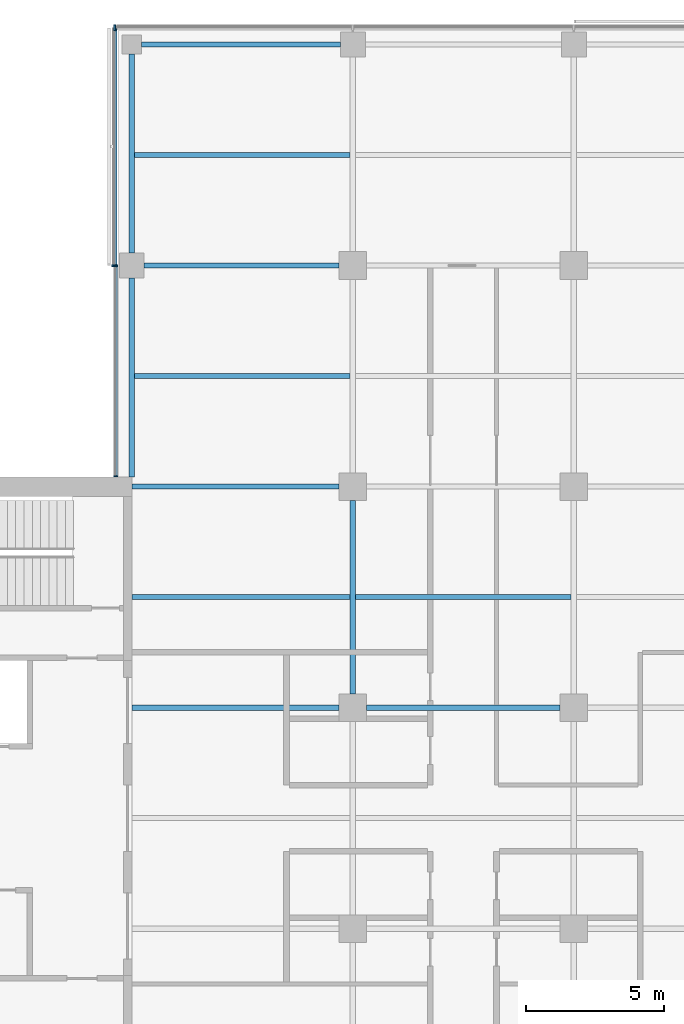
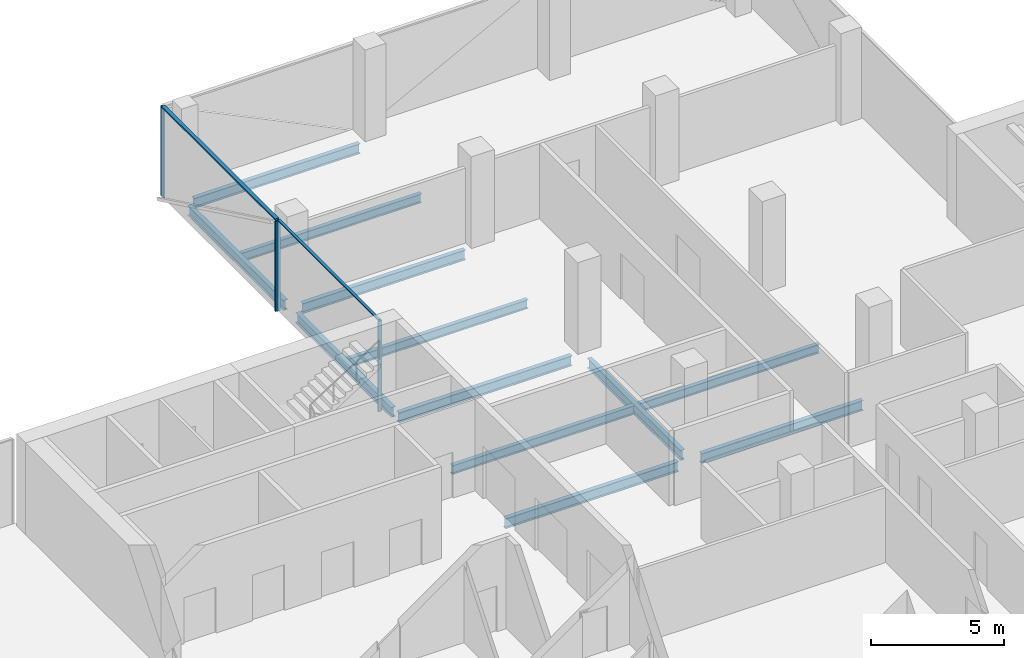
# One storey, part 8 of 22: 12 beams, 6 members, 3 elements without a shape of their own.
"""IFC4 building model written with IfcOpenShell, lengths in metres."""

import ifcopenshell
import ifcopenshell.guid

model = None  # the IFC model being written
_history = None  # IfcOwnerHistory: only IFC2X3 demands one
_inside = {}  # id of a spatial element -> (the spatial element, [elements in it])
_under = {}  # id of a project, library or spatial element -> (it, [spatial elements below it])
_declared = {}  # id of a project -> (the project, [libraries it declares])
_typed = {}  # id of a type object -> (the type object, [elements of that type])
_made_of = {}  # id of a material, layer set ... -> (it, [elements and type objects made of it])


def new_model(schema):
    """Start an empty IFC model of exactly this schema.

    Asked for "IFC4X3", IfcOpenShell would pick the latest addendum, in which some entities
    have other attributes; the version numbers below select the first issue.
    IFC2X3 requires an IfcOwnerHistory on every rooted entity: one is made here for all.
    """
    global model, _history
    if schema == "IFC4X3":
        model = ifcopenshell.file(schema_version=(4, 3, 0, 0))
    else:
        model = ifcopenshell.file(schema=schema)
    _inside.clear()
    _under.clear()
    _declared.clear()
    _typed.clear()
    _made_of.clear()
    _history = None
    if model.schema == "IFC2X3":
        org = make("IfcOrganization", Name="unknown")
        user = make(
            "IfcPersonAndOrganization",
            ThePerson=make("IfcPerson", FamilyName="unknown"),
            TheOrganization=org,
        )
        app = make(
            "IfcApplication",
            ApplicationDeveloper=org,
            Version="unknown",
            ApplicationFullName="unknown",
            ApplicationIdentifier="unknown",
        )
        _history = make(
            "IfcOwnerHistory",
            OwningUser=user,
            OwningApplication=app,
            ChangeAction="ADDED",
            CreationDate=0,
        )
    return model


def make(cls, **values):
    """One entity of the class cls with the attributes given. An attribute that is None is left unset."""
    return model.create_entity(
        cls, **{name: value for name, value in values.items() if value is not None}
    )


def rooted(cls, **values):
    """An entity with a GlobalId (a new one), such as an element, a storey or a relation."""
    return make(cls, GlobalId=ifcopenshell.guid.new(), OwnerHistory=_history, **values)


def si_unit(unit_type, name, prefix=None):
    """IfcSIUnit, for example si_unit("LENGTHUNIT", "METRE", prefix="MILLI")."""
    return make("IfcSIUnit", UnitType=unit_type, Prefix=prefix, Name=name)


def assignment(units):
    """IfcUnitAssignment: the units of a project."""
    return None if units is None else make("IfcUnitAssignment", Units=units)


def point(xyz):
    """IfcCartesianPoint."""
    return None if xyz is None else make("IfcCartesianPoint", Coordinates=xyz)


def direction(xyz):
    """IfcDirection."""
    return None if xyz is None else make("IfcDirection", DirectionRatios=xyz)


def frame(location, z_axis=None, x_axis=None):
    """IfcAxis2Placement3D, a coordinate frame: its origin and axes. An axis left out is left unset."""
    return make(
        "IfcAxis2Placement3D",
        Location=point(location),
        Axis=direction(z_axis),
        RefDirection=direction(x_axis),
    )


def frame_2d(location, x_axis=None):
    """IfcAxis2Placement2D, a coordinate frame in the plane: its origin and x axis."""
    return make(
        "IfcAxis2Placement2D", Location=point(location), RefDirection=direction(x_axis)
    )


def origin():
    """The frame at (0, 0, 0) with its axes left unset."""
    return frame((0.0, 0.0, 0.0))


def origin_2d():
    """The frame at (0, 0) in the plane with its x axis left unset."""
    return frame_2d((0.0, 0.0))


def place(relative_to, where):
    """IfcLocalPlacement: puts the frame where relative to a parent placement (None: the world)."""
    return make(
        "IfcLocalPlacement", PlacementRelTo=relative_to, RelativePlacement=where
    )


def context(
    kind, dimensions, precision=None, world=None, true_north=None, identifier=None
):
    """IfcGeometricRepresentationContext, for example the 3D "Model" context."""
    return make(
        "IfcGeometricRepresentationContext",
        ContextIdentifier=identifier,
        ContextType=kind,
        CoordinateSpaceDimension=dimensions,
        Precision=precision,
        WorldCoordinateSystem=world,
        TrueNorth=true_north,
    )


def subcontext(parent, identifier, kind, view, scale=None):
    """IfcGeometricRepresentationSubContext, for example "Body" below "Model"."""
    return make(
        "IfcGeometricRepresentationSubContext",
        ContextIdentifier=identifier,
        ContextType=kind,
        ParentContext=parent,
        TargetScale=scale,
        TargetView=view,
    )


def project(units=None, contexts=None):
    """IfcProject with its units and contexts."""
    return rooted(
        "IfcProject",
        Name="project",
        RepresentationContexts=contexts,
        UnitsInContext=assignment(units),
    )


def spatial(cls, under=None, at=None, **own):
    """A site, building, storey or space (cls), placed at a placement, below another one or the project."""
    s = rooted(cls, ObjectPlacement=at, **own)
    if under is not None:
        _under.setdefault(under.id(), (under, []))[1].append(s)
    return s


def profile(cls, at=None, kind="AREA", **sizes):
    """A parametric profile (cls). Its sizes go by their IFC names, for example OverallWidth=200.0."""
    return make(cls, ProfileType=kind, Position=at, **sizes)


def rectangle(**sizes):
    """IfcRectangleProfileDef."""
    return profile("IfcRectangleProfileDef", **sizes)


def i_section(**sizes):
    """IfcIShapeProfileDef."""
    return profile("IfcIShapeProfileDef", **sizes)


def extrude(swept, where, along, depth):
    """IfcExtrudedAreaSolid: the profile swept, set in the frame where, extruded along a direction by depth."""
    return make(
        "IfcExtrudedAreaSolid",
        SweptArea=swept,
        Position=where,
        ExtrudedDirection=direction(along),
        Depth=depth,
    )


def shape(context_of_items, identifier, shape_type, items):
    """IfcShapeRepresentation: the items that make up one representation, for example the "Body"."""
    return make(
        "IfcShapeRepresentation",
        ContextOfItems=context_of_items,
        RepresentationIdentifier=identifier,
        RepresentationType=shape_type,
        Items=items,
    )


def material(Name=None, Category=None):
    """IfcMaterial."""
    return make("IfcMaterial", Name=Name, Category=Category)


def material_profile(
    of_material, cross_section, Name=None, Category=None, Priority=None
):
    """IfcMaterialProfile: a cross section and its material."""
    return make(
        "IfcMaterialProfile",
        Name=Name,
        Material=of_material,
        Profile=cross_section,
        Priority=Priority,
        Category=Category,
    )


def profile_set(profiles, Name=None, composite=None):
    """IfcMaterialProfileSet."""
    return make(
        "IfcMaterialProfileSet",
        Name=Name,
        MaterialProfiles=profiles,
        CompositeProfile=composite,
    )


def made_of(thing, what):
    """Note that an element or type object is made of a material, layer set ...; save() writes the relation."""
    if what is not None:
        _made_of.setdefault(what.id(), (what, []))[1].append(thing)
    return thing


def type_object(cls, material=None, **own):
    """A type object (cls), such as IfcWallType, which elements share."""
    return made_of(rooted(cls, **own), material)


def element(
    cls,
    number,
    at=None,
    inside=None,
    cuts=None,
    type_object=None,
    material=None,
    context=None,
    identifier="Body",
    shape_type=None,
    held_by="IfcProductDefinitionShape",
    body=None,
    shapes=None,
    **own,
):
    """One element of the class cls, such as IfcWall. Its Tag is "e" and its number.

    at: its placement. inside: the storey or other place that contains it. cuts: it is an
    opening in that element (IfcRelVoidsElement). A single representation is given by context,
    identifier, shape_type and body (its items); several are given by shapes. held_by: the class
    of the entity that holds the representations. save() writes the other relations.
    """
    e = rooted(cls, Tag="e%d" % number, ObjectPlacement=at, **own)
    if body is not None:
        shapes = [shape(context, identifier, shape_type, body)]
    if shapes is not None:
        e.Representation = make(held_by, Representations=shapes)
    if inside is not None:
        _inside.setdefault(inside.id(), (inside, []))[1].append(e)
    if cuts is not None:
        rooted(
            "IfcRelVoidsElement", RelatingBuildingElement=cuts, RelatedOpeningElement=e
        )
    if type_object is not None:
        _typed.setdefault(type_object.id(), (type_object, []))[1].append(e)
    return made_of(e, material)


def aggregate(whole, parts):
    """IfcRelAggregates: a whole, such as a stair, and the parts it consists of."""
    return rooted("IfcRelAggregates", RelatingObject=whole, RelatedObjects=parts)


def save(model, path):
    """Write the relations noted so far, then the file.

    IfcRelAggregates (storeys below a building ...), IfcRelContainedInSpatialStructure (elements
    in a storey), IfcRelDefinesByType, IfcRelAssociatesMaterial and IfcRelDeclares: one each for
    every whole, place, type object, material and project.
    """
    for whole, parts in _under.values():
        aggregate(whole, parts)
    for where, things in _inside.values():
        rooted(
            "IfcRelContainedInSpatialStructure",
            RelatedElements=things,
            RelatingStructure=where,
        )
    for kind, things in _typed.values():
        rooted("IfcRelDefinesByType", RelatedObjects=things, RelatingType=kind)
    for what, things in _made_of.values():
        rooted("IfcRelAssociatesMaterial", RelatedObjects=things, RelatingMaterial=what)
    for by, libraries in _declared.values():
        rooted("IfcRelDeclares", RelatingContext=by, RelatedDefinitions=libraries)
    model.write(path)


model = new_model("IFC4")

# Units and contexts
model_context = context("Model", 3, precision=1e-05, world=origin(), true_north=direction((0.0, 1.0)))
body_context = subcontext(model_context, "Body", "Model", "MODEL_VIEW")
ifc_project = project(units=[si_unit("LENGTHUNIT", "METRE"), si_unit("AREAUNIT", "SQUARE_METRE"), si_unit("VOLUMEUNIT", "CUBIC_METRE"), si_unit("PLANEANGLEUNIT", "RADIAN"), si_unit("MASSUNIT", "GRAM", prefix="KILO")], contexts=[model_context])

# Site, building, storey
site_placement = place(None, origin())
site = spatial("IfcSite", under=ifc_project, at=site_placement, CompositionType="ELEMENT")
building_placement = place(site_placement, origin())
building = spatial("IfcBuilding", under=site, at=building_placement, Name="Crosswind Convention Tower", CompositionType="ELEMENT")
storey_placement = place(building_placement, frame((0.0, 0.0, 121.10009765625)))
storey = spatial("IfcBuildingStorey", under=building, at=storey_placement, Name="L24", CompositionType="ELEMENT", Elevation=121.10009765625)

# Beams
ifc_material_1 = material(Name="Steel S355", Category="steel")
ifc_material_profile_1 = material_profile(ifc_material_1, i_section(OverallWidth=0.18994140625, OverallDepth=0.45361328125, WebThickness=0.008544921875, FlangeThickness=0.0126953125, FilletRadius=0.01025390625, at=origin_2d()), Name="UB 457x191x67")
ifc_profile_set_1 = profile_set([ifc_material_profile_1], Name="Steel S355")
beam_type_1 = type_object("IfcBeamType", Name="Edge beam UB 457x191x67", PredefinedType="SPANDREL", material=ifc_profile_set_1)
for number, where, z_axis, x_axis, name in (
    (1, (113.0, 112.35009765625, -0.52685546875), (0.0, 1.0, 0.0), (-1.0, 0.0, 0.0), "B16 L24 edge beam 8"),
    (2, (113.0, 120.449951171875, -0.52685546875), (0.0, 1.0, 0.0), (-1.0, 0.0, 0.0), "B16 L24 edge beam 9"),
    (3, (113.35009765625, 128.0, -0.52685546875), (1.0, 0.0, 0.0), (0.0, 1.0, 0.0), "B16 L24 edge beam 11"),
):
    element("IfcBeam", number, at=place(storey_placement, frame(where, z_axis=z_axis, x_axis=x_axis)), inside=storey, type_object=beam_type_1, Name=name, PredefinedType="SPANDREL", context=body_context, shape_type="SweptSolid", body=[
        extrude(i_section(OverallWidth=0.18994140625, OverallDepth=0.45361328125, WebThickness=0.008544921875, FlangeThickness=0.0126953125, FilletRadius=0.01025390625, at=origin_2d()), origin(), (0.0, 0.0, 1.0), 7.199951171875),
    ])
ifc_material_profile_2 = material_profile(ifc_material_1, i_section(OverallWidth=0.19140625, OverallDepth=0.460205078125, WebThickness=0.010009765625, FlangeThickness=0.01611328125, FilletRadius=0.01025390625, at=origin_2d()), Name="UB 457x191x82")
ifc_profile_set_2 = profile_set([ifc_material_profile_2], Name="Steel S355")
beam_type_2 = type_object("IfcBeamType", Name="Girder UB 457x191x82", PredefinedType="BEAM", material=ifc_profile_set_2)
beam_1_placement = place(storey_placement, frame((113.449951171875, 120.0, -0.5302734375), z_axis=(1.0, 0.0, 0.0), x_axis=(0.0, 1.0, 0.0)))
element("IfcBeam", 4, at=beam_1_placement, inside=storey, type_object=beam_type_2, Name="B3 L24 girder 2", PredefinedType="BEAM", context=body_context, shape_type="SweptSolid", body=[
    extrude(i_section(OverallWidth=0.19140625, OverallDepth=0.460205078125, WebThickness=0.010009765625, FlangeThickness=0.01611328125, FilletRadius=0.01025390625, at=origin_2d()), origin(), (0.0, 0.0, 1.0), 7.050048828125),
])
for number, where, z_axis, x_axis, name in (
    (5, (121.0, 104.5, -0.5302734375), (0.0, 1.0, 0.0), (-1.0, 0.0, 0.0), "B3 L24 girder 7"),
    (6, (121.5, 104.0, -0.5302734375), (1.0, 0.0, 0.0), (0.0, 1.0, 0.0), "B3 L24 girder 13"),
):
    element("IfcBeam", number, at=place(storey_placement, frame(where, z_axis=z_axis, x_axis=x_axis)), inside=storey, type_object=beam_type_2, Name=name, PredefinedType="BEAM", context=body_context, shape_type="SweptSolid", body=[
        extrude(i_section(OverallWidth=0.19140625, OverallDepth=0.460205078125, WebThickness=0.010009765625, FlangeThickness=0.01611328125, FilletRadius=0.01025390625, at=origin_2d()), origin(), (0.0, 0.0, 1.0), 7.0),
    ])
ifc_material_profile_3 = material_profile(ifc_material_1, i_section(OverallWidth=0.19189453125, OverallDepth=0.463623046875, WebThickness=0.010498046875, FlangeThickness=0.017578125, FilletRadius=0.01025390625, at=origin_2d()), Name="UB 457x191x90")
ifc_profile_set_3 = profile_set([ifc_material_profile_3], Name="Steel S355")
beam_type_3 = type_object("IfcBeamType", Name="Girder at core wall UB 457x191x90", PredefinedType="BEAM", material=ifc_profile_set_3)
for number, where, z_axis, x_axis, name in (
    (7, (113.0, 104.0, -0.531982421875), (1.0, 0.0, 0.0), (0.0, 1.0, 0.0), "B24 L24 girder at core wall 5"),
    (8, (113.0, 112.0, -0.531982421875), (1.0, 0.0, 0.0), (0.0, 1.0, 0.0), "B24 L24 girder at core wall 6"),
):
    element("IfcBeam", number, at=place(storey_placement, frame(where, z_axis=z_axis, x_axis=x_axis)), inside=storey, type_object=beam_type_3, Name=name, PredefinedType="BEAM", context=body_context, shape_type="SweptSolid", body=[
        extrude(i_section(OverallWidth=0.19189453125, OverallDepth=0.463623046875, WebThickness=0.010498046875, FlangeThickness=0.017578125, FilletRadius=0.01025390625, at=origin_2d()), origin(), (0.0, 0.0, 1.0), 7.5),
    ])

# Curtain wall, members
ifc_material_2 = material(Name="Aluminium unitised curtain wall", Category="aluminium")
curtain_wall_type_1 = type_object("IfcCurtainWallType", Name="CORE END SLOT WALL 160", PredefinedType="USERDEFINED", material=ifc_material_2)
curtain_wall_1_placement = place(storey_placement, origin())
curtain_wall_1 = element("IfcCurtainWall", 9, at=curtain_wall_1_placement, inside=storey, type_object=curtain_wall_type_1, Name="CW6 L24 N-W.1-2 slot", ObjectType="UNITISED", PredefinedType="USERDEFINED")
ifc_material_3 = material(Name="Aluminium mullion", Category="aluminium")
ifc_material_profile_4 = material_profile(ifc_material_3, rectangle(XDim=0.159912109375, YDim=0.050048828125, at=origin_2d()), Name="AL 160X50")
ifc_profile_set_4 = profile_set([ifc_material_profile_4], Name="Aluminium mullion")
member_type_1 = type_object("IfcMemberType", Name="MULLION 50X160", PredefinedType="MULLION", material=ifc_profile_set_4)
member_1_placement = place(storey_placement, frame((112.419921875, 119.97509765625, -0.300048828125), z_axis=(0.0, 0.0, 1.0), x_axis=(-1.0, 0.0, 0.0)))
member_1 = element("IfcMember", 10, at=member_1_placement, type_object=member_type_1, Name="CW6 mullion 1", PredefinedType="MULLION", context=body_context, shape_type="SweptSolid", body=[
    extrude(rectangle(XDim=0.159912109375, YDim=0.050048828125, at=origin_2d()), origin(), (0.0, 0.0, 1.0), 4.14990234375),
])
member_2_placement = place(storey_placement, frame((112.419921875, 112.375, -0.300048828125), z_axis=(0.0, 0.0, 1.0), x_axis=(-1.0, 0.0, 0.0)))
member_2 = element("IfcMember", 11, at=member_2_placement, type_object=member_type_1, Name="CW6 mullion 2", PredefinedType="MULLION", context=body_context, shape_type="SweptSolid", body=[
    extrude(rectangle(XDim=0.159912109375, YDim=0.050048828125, at=origin_2d()), origin(), (0.0, 0.0, 1.0), 4.14990234375),
])

# Curtain wall, member
curtain_wall_type_2 = type_object("IfcCurtainWallType", Name="OFFICE UNITISED WALL 220", PredefinedType="USERDEFINED", material=ifc_material_2)
curtain_wall_2_placement = place(storey_placement, origin())
curtain_wall_2 = element("IfcCurtainWall", 12, at=curtain_wall_2_placement, inside=storey, type_object=curtain_wall_type_2, Name="CW3 L24 N-TIP 1", ObjectType="UNITISED", PredefinedType="USERDEFINED")
ifc_material_profile_5 = material_profile(ifc_material_3, rectangle(XDim=0.219970703125, YDim=0.070068359375, at=origin_2d()), Name="AL 220X70")
ifc_profile_set_5 = profile_set([ifc_material_profile_5], Name="Aluminium mullion")
member_type_2 = type_object("IfcMemberType", Name="MULLION 70X220", PredefinedType="MULLION", material=ifc_profile_set_5)
member_3_placement = place(storey_placement, frame((112.389892578125, 128.610107421875, -0.300048828125), z_axis=(0.0, 0.0, 1.0), x_axis=(0.0, 1.0, 0.0)))
member_3 = element("IfcMember", 13, at=member_3_placement, type_object=member_type_2, Name="CW3 mullion 4", PredefinedType="MULLION", context=body_context, shape_type="SweptSolid", body=[
    extrude(rectangle(XDim=0.219970703125, YDim=0.070068359375, at=origin_2d()), origin(), (0.0, 0.0, 1.0), 4.1298828125),
])
aggregate(curtain_wall_2, [member_3])

curtain_wall_3_placement = place(storey_placement, origin())
curtain_wall_3 = element("IfcCurtainWall", 14, at=curtain_wall_3_placement, inside=storey, type_object=curtain_wall_type_2, Name="CW3 L24 N-W 1", ObjectType="UNITISED", PredefinedType="USERDEFINED")
member_4_placement = place(storey_placement, frame((112.389892578125, 120.0, -0.300048828125), z_axis=(0.0, 0.0, 1.0), x_axis=(-1.0, 0.0, 0.0)))
member_4 = element("IfcMember", 15, at=member_4_placement, type_object=member_type_2, Name="CW3 mullion 2", PredefinedType="MULLION", context=body_context, shape_type="SweptSolid", body=[
    extrude(rectangle(XDim=0.219970703125, YDim=0.070068359375, at=origin_2d()), origin(), (0.0, 0.0, 1.0), 4.1298828125),
])

# Beams
ifc_material_profile_6 = material_profile(ifc_material_1, i_section(OverallWidth=0.177734375, OverallDepth=0.406494140625, WebThickness=0.0078125, FlangeThickness=0.0126953125, FilletRadius=0.01025390625, at=origin_2d()), Name="UB 406x178x60")
ifc_profile_set_6 = profile_set([ifc_material_profile_6], Name="Steel S355")
beam_type_4 = type_object("IfcBeamType", Name="Secondary beam UB 406x178x60", PredefinedType="JOIST", material=ifc_profile_set_6)
beam_2_placement = place(storey_placement, frame((113.0, 108.0, -0.50341796875), z_axis=(1.0, 0.0, 0.0), x_axis=(0.0, 1.0, 0.0)))
element("IfcBeam", 16, at=beam_2_placement, inside=storey, type_object=beam_type_4, Name="B10 L24 secondary beam 6", PredefinedType="JOIST", context=body_context, shape_type="SweptSolid", body=[
    extrude(i_section(OverallWidth=0.177734375, OverallDepth=0.406494140625, WebThickness=0.0078125, FlangeThickness=0.0126953125, FilletRadius=0.01025390625, at=origin_2d()), origin(), (0.0, 0.0, 1.0), 7.904296875),
])
for number, where, z_axis, x_axis, name in (
    (17, (113.094970703125, 116.0, -0.50341796875), (1.0, 0.0, 0.0), (0.0, 1.0, 0.0), "B10 L24 secondary beam 9"),
    (18, (113.094970703125, 124.0, -0.50341796875), (1.0, 0.0, 0.0), (0.0, 1.0, 0.0), "B10 L24 secondary beam 10"),
):
    element("IfcBeam", number, at=place(storey_placement, frame(where, z_axis=z_axis, x_axis=x_axis)), inside=storey, type_object=beam_type_4, Name=name, PredefinedType="JOIST", context=body_context, shape_type="SweptSolid", body=[
        extrude(i_section(OverallWidth=0.177734375, OverallDepth=0.406494140625, WebThickness=0.0078125, FlangeThickness=0.0126953125, FilletRadius=0.01025390625, at=origin_2d()), origin(), (0.0, 0.0, 1.0), 7.809326171875),
    ])
beam_3_placement = place(storey_placement, frame((121.095703125, 108.0, -0.50341796875), z_axis=(1.0, 0.0, 0.0), x_axis=(0.0, 1.0, 0.0)))
element("IfcBeam", 19, at=beam_3_placement, inside=storey, type_object=beam_type_4, Name="B10 L24 secondary beam 15", PredefinedType="JOIST", context=body_context, shape_type="SweptSolid", body=[
    extrude(i_section(OverallWidth=0.177734375, OverallDepth=0.406494140625, WebThickness=0.0078125, FlangeThickness=0.0126953125, FilletRadius=0.01025390625, at=origin_2d()), origin(), (0.0, 0.0, 1.0), 7.80859375),
])

# Member
ifc_material_4 = material(Name="Aluminium transom", Category="aluminium")
ifc_material_profile_7 = material_profile(ifc_material_4, rectangle(XDim=0.1201171875, YDim=0.050048828125, at=origin_2d()), Name="AL 120X50")
ifc_profile_set_7 = profile_set([ifc_material_profile_7], Name="Aluminium transom")
member_type_3 = type_object("IfcMemberType", Name="TRANSOM 50X120", PredefinedType="USERDEFINED", material=ifc_profile_set_7)
member_5_placement = place(storey_placement, frame((112.419921875, 119.949951171875, 3.875), z_axis=(0.0, -1.0, 0.0), x_axis=(1.0, 0.0, 0.0)))
member_5 = element("IfcMember", 20, at=member_5_placement, type_object=member_type_3, Name="CW6 transom", ObjectType="TRANSOM", PredefinedType="USERDEFINED", context=body_context, shape_type="SweptSolid", body=[
    extrude(rectangle(XDim=0.1201171875, YDim=0.050048828125, at=origin_2d()), origin(), (0.0, 0.0, 1.0), 7.550048828125),
])

aggregate(curtain_wall_1, [member_1, member_2, member_5])

ifc_material_profile_8 = material_profile(ifc_material_4, rectangle(XDim=0.159912109375, YDim=0.070068359375, at=origin_2d()), Name="AL 160X70")
ifc_profile_set_8 = profile_set([ifc_material_profile_8], Name="Aluminium transom")
member_type_4 = type_object("IfcMemberType", Name="TRANSOM 70X160", PredefinedType="USERDEFINED", material=ifc_profile_set_8)
member_6_placement = place(storey_placement, frame((112.389892578125, 128.574951171875, 3.864990234375), z_axis=(0.0, -1.0, 0.0), x_axis=(1.0, 0.0, 0.0)))
member_6 = element("IfcMember", 21, at=member_6_placement, type_object=member_type_4, Name="CW3 transom", ObjectType="TRANSOM", PredefinedType="USERDEFINED", context=body_context, shape_type="SweptSolid", body=[
    extrude(rectangle(XDim=0.159912109375, YDim=0.070068359375, at=origin_2d()), origin(), (0.0, 0.0, 1.0), 8.5400390625),
])

aggregate(curtain_wall_3, [member_4, member_6])

save(model, "model.ifc")
